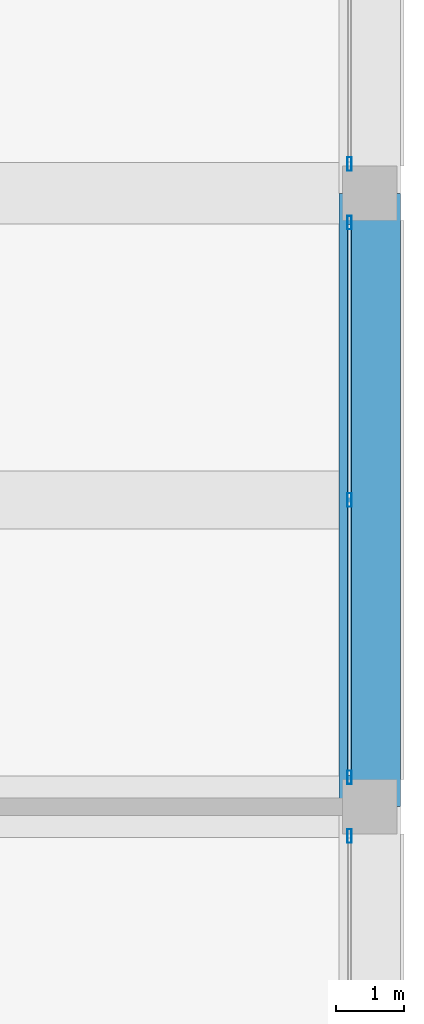
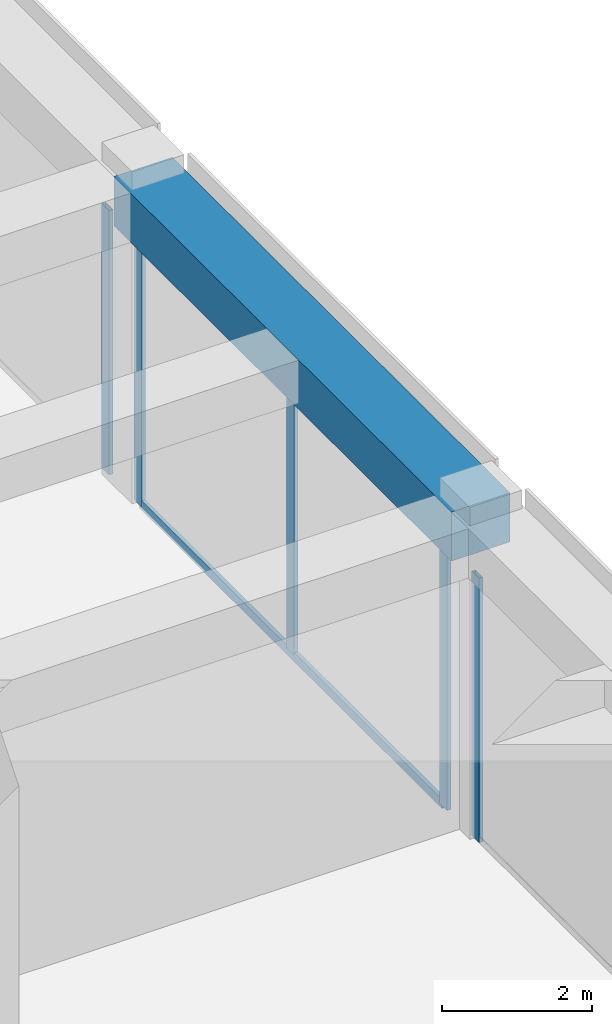
# One storey, part 34 of 45: 6 members, 1 beam, 3 elements without a shape of their own.
"""IFC4 building model written with IfcOpenShell, lengths in metres."""

from ifc_helpers import new_model, si_unit, direction, frame, origin, origin_2d, place, context, subcontext, project, spatial, rectangle, hollow_rectangle, extrude, material, material_profile, profile_set, type_object, element, aggregate, save


model = new_model("IFC4")

# Units and contexts
model_context = context("Model", 3, precision=1e-05, world=origin(), true_north=direction((0.0, 1.0)))
body_context = subcontext(model_context, "Body", "Model", "MODEL_VIEW")
ifc_project = project(units=[si_unit("LENGTHUNIT", "METRE"), si_unit("AREAUNIT", "SQUARE_METRE"), si_unit("VOLUMEUNIT", "CUBIC_METRE"), si_unit("PLANEANGLEUNIT", "RADIAN"), si_unit("MASSUNIT", "GRAM", prefix="KILO")], contexts=[model_context])

# Site, building, storey
site_placement = place(None, origin())
site = spatial("IfcSite", under=ifc_project, at=site_placement, CompositionType="ELEMENT")
building_placement = place(site_placement, origin())
building = spatial("IfcBuilding", under=site, at=building_placement, Name="Zorevar Civic Tower", CompositionType="ELEMENT")
storey_placement = place(building_placement, frame((0.0, 0.0, 5.39990234375)))
storey = spatial("IfcBuildingStorey", under=building, at=storey_placement, Name="L01", CompositionType="ELEMENT", Elevation=5.39990234375)

# Curtain wall, member
ifc_material_1 = material(Name="Dark grey solar-control glass in black aluminium frame", Category="aluminium")
curtain_wall_type = type_object("IfcCurtainWallType", Name="Curtain wall CW1 podium", PredefinedType="NOTDEFINED", material=ifc_material_1)
curtain_wall_1_placement = place(storey_placement, origin())
curtain_wall_1 = element("IfcCurtainWall", 1, at=curtain_wall_1_placement, inside=storey, type_object=curtain_wall_type, Name="CW1 L01", PredefinedType="NOTDEFINED")
ifc_material_2 = material(Name="Aluminium, black anodised", Category="aluminium")
ifc_material_profile_1 = material_profile(ifc_material_2, hollow_rectangle(XDim=0.06005859375, YDim=0.199951171875, WallThickness=0.00390625, at=origin_2d()), Name="AL 200x60x4")
ifc_profile_set_1 = profile_set([ifc_material_profile_1], Name="Aluminium, black anodised")
member_type_1 = type_object("IfcMemberType", Name="CW1 mullion AL 200x60x4", PredefinedType="MULLION", material=ifc_profile_set_1)
member_1_placement = place(storey_placement, frame((71.699951171875, 17.570068359375, 0.0), z_axis=(0.0, 0.0, 1.0), x_axis=(-1.0, 0.0, 0.0)))
member_1 = element("IfcMember", 2, at=member_1_placement, type_object=member_type_1, Name="CW1 mullion 3", PredefinedType="MULLION", context=body_context, shape_type="SweptSolid", body=[
    extrude(hollow_rectangle(XDim=0.06005859375, YDim=0.199951171875, WallThickness=0.00390625, at=origin_2d()), origin(), (0.0, 0.0, 1.0), 4.300048828125),
])
aggregate(curtain_wall_1, [member_1])

# Curtain wall, members
curtain_wall_2_placement = place(storey_placement, origin())
curtain_wall_2 = element("IfcCurtainWall", 3, at=curtain_wall_2_placement, inside=storey, type_object=curtain_wall_type, Name="CW1 L01", PredefinedType="NOTDEFINED")
member_2_placement = place(storey_placement, frame((71.699951171875, 18.429931640625, 0.0), z_axis=(0.0, 0.0, 1.0), x_axis=(-1.0, 0.0, 0.0)))
member_2 = element("IfcMember", 4, at=member_2_placement, type_object=member_type_1, Name="CW1 mullion 1", PredefinedType="MULLION", context=body_context, shape_type="SweptSolid", body=[
    extrude(hollow_rectangle(XDim=0.06005859375, YDim=0.199951171875, WallThickness=0.00390625, at=origin_2d()), origin(), (0.0, 0.0, 1.0), 4.300048828125),
])
member_3_placement = place(storey_placement, frame((71.699951171875, 22.5, 0.06005859375), z_axis=(0.0, 0.0, 1.0), x_axis=(-1.0, 0.0, 0.0)))
member_3 = element("IfcMember", 5, at=member_3_placement, type_object=member_type_1, Name="CW1 mullion 2", PredefinedType="MULLION", context=body_context, shape_type="SweptSolid", body=[
    extrude(hollow_rectangle(XDim=0.06005859375, YDim=0.199951171875, WallThickness=0.00390625, at=origin_2d()), origin(), (0.0, 0.0, 1.0), 4.239990234375),
])
member_4_placement = place(storey_placement, frame((71.699951171875, 26.570068359375, 0.0), z_axis=(0.0, 0.0, 1.0), x_axis=(-1.0, 0.0, 0.0)))
member_4 = element("IfcMember", 6, at=member_4_placement, type_object=member_type_1, Name="CW1 mullion 3", PredefinedType="MULLION", context=body_context, shape_type="SweptSolid", body=[
    extrude(hollow_rectangle(XDim=0.06005859375, YDim=0.199951171875, WallThickness=0.00390625, at=origin_2d()), origin(), (0.0, 0.0, 1.0), 4.300048828125),
])

# Curtain wall, member
curtain_wall_3_placement = place(storey_placement, origin())
curtain_wall_3 = element("IfcCurtainWall", 7, at=curtain_wall_3_placement, inside=storey, type_object=curtain_wall_type, Name="CW1 L01", PredefinedType="NOTDEFINED")
member_5_placement = place(storey_placement, frame((71.699951171875, 27.429931640625, 0.0), z_axis=(0.0, 0.0, 1.0), x_axis=(-1.0, 0.0, 0.0)))
member_5 = element("IfcMember", 8, at=member_5_placement, type_object=member_type_1, Name="CW1 mullion 1", PredefinedType="MULLION", context=body_context, shape_type="SweptSolid", body=[
    extrude(hollow_rectangle(XDim=0.06005859375, YDim=0.199951171875, WallThickness=0.00390625, at=origin_2d()), origin(), (0.0, 0.0, 1.0), 4.300048828125),
])
aggregate(curtain_wall_3, [member_5])

# Member
ifc_material_3 = material(Name="Aluminium, black anodised", Category="aluminium")
ifc_material_profile_2 = material_profile(ifc_material_3, hollow_rectangle(XDim=0.06005859375, YDim=0.14990234375, WallThickness=0.00390625, at=origin_2d()), Name="AL 150x60x4")
ifc_profile_set_2 = profile_set([ifc_material_profile_2], Name="Aluminium, black anodised")
member_type_2 = type_object("IfcMemberType", Name="CW1 transom AL 150x60x4", PredefinedType="USERDEFINED", material=ifc_profile_set_2)
member_6_placement = place(storey_placement, frame((71.699951171875, 18.4599609375, 0.030029296875), z_axis=(0.0, 1.0, 0.0), x_axis=(-1.0, 0.0, 0.0)))
member_6 = element("IfcMember", 9, at=member_6_placement, type_object=member_type_2, Name="CW1 sill transom", ObjectType="TRANSOM", PredefinedType="USERDEFINED", context=body_context, shape_type="SweptSolid", body=[
    extrude(hollow_rectangle(XDim=0.06005859375, YDim=0.14990234375, WallThickness=0.00390625, at=origin_2d()), origin(), (0.0, 0.0, 1.0), 8.080078125),
])

aggregate(curtain_wall_2, [member_2, member_3, member_4, member_6])

# Beam
ifc_material_4 = material(Name="Concrete C50/60", Category="concrete")
ifc_material_profile_3 = material_profile(ifc_material_4, rectangle(XDim=0.89990234375, YDim=0.800048828125, at=origin_2d()), Name="RC 900x800")
ifc_profile_set_3 = profile_set([ifc_material_profile_3], Name="Concrete C50/60")
beam_type = type_object("IfcBeamType", Name="Edge beam RC 900x800", PredefinedType="SPANDREL", material=ifc_profile_set_3)
beam_placement = place(storey_placement, frame((72.0, 18.0, 4.7001953125), z_axis=(0.0, 1.0, 0.0), x_axis=(-1.0, 0.0, 0.0)))
element("IfcBeam", 10, at=beam_placement, inside=storey, type_object=beam_type, Name="Edge beam L02", PredefinedType="SPANDREL", context=body_context, shape_type="SweptSolid", body=[
    extrude(rectangle(XDim=0.89990234375, YDim=0.800048828125, at=origin_2d()), origin(), (0.0, 0.0, 1.0), 9.0),
])

save(model, "model.ifc")
